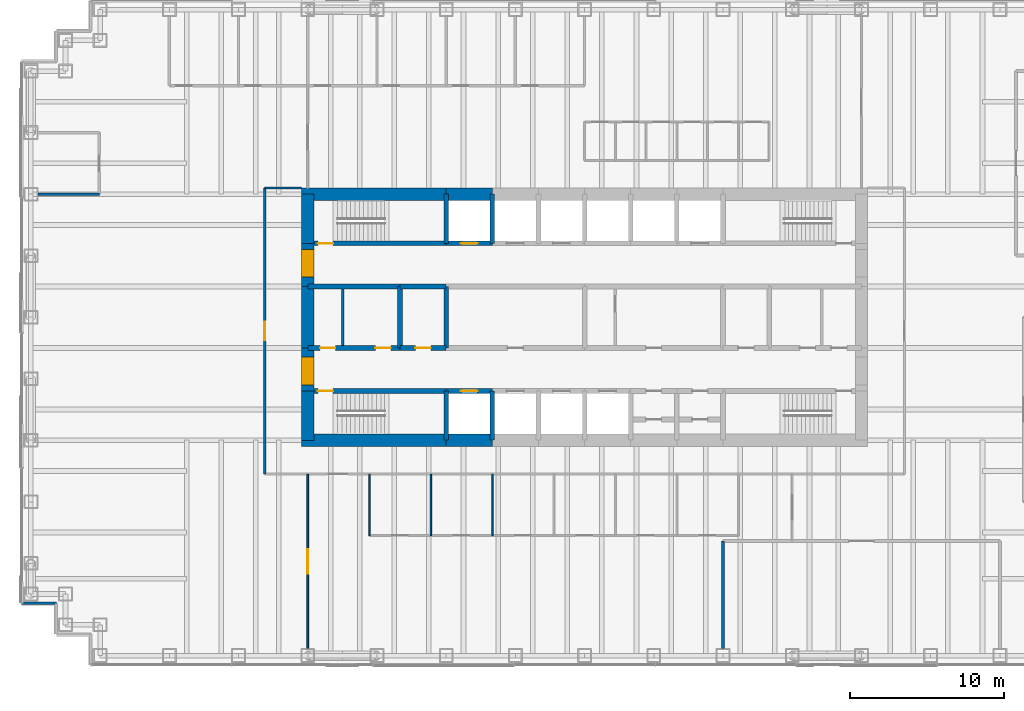
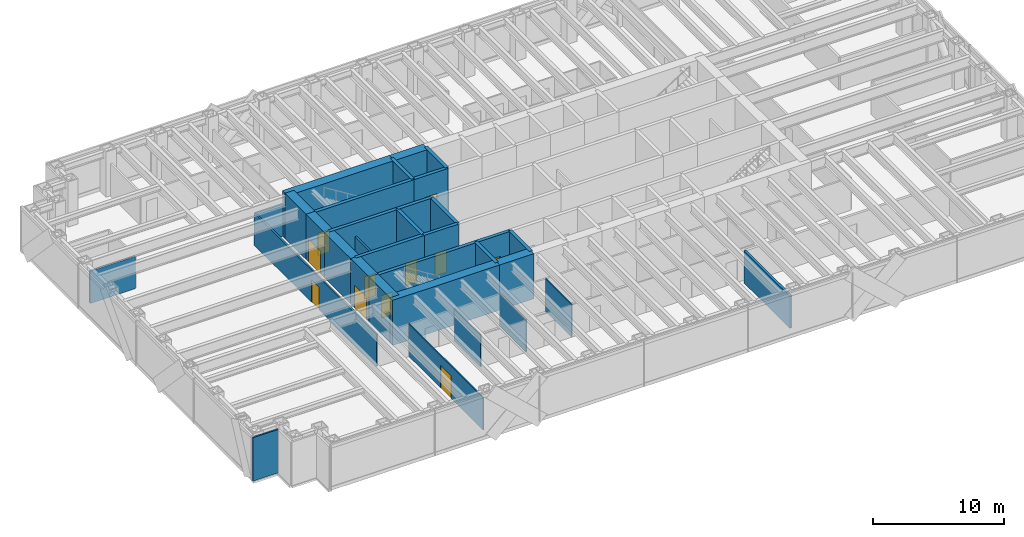
# One storey, part 10 of 15: 33 walls, 11 doors, 11 openings.
"""IFC4 building model written with IfcOpenShell, lengths in metres."""

from ifc_helpers import new_model, si_unit, direction, frame, frame_2d, origin, place, context, subcontext, project, spatial, rectangle, extrude, material, layer, layer_set, type_object, element, fill, save


model = new_model("IFC4")

# Units and contexts
model_context = context("Model", 3, precision=1e-05, world=origin(), true_north=direction((0.0, 1.0)))
body_context = subcontext(model_context, "Body", "Model", "MODEL_VIEW")
ifc_project = project(units=[si_unit("LENGTHUNIT", "METRE"), si_unit("AREAUNIT", "SQUARE_METRE"), si_unit("VOLUMEUNIT", "CUBIC_METRE"), si_unit("PLANEANGLEUNIT", "RADIAN"), si_unit("MASSUNIT", "GRAM", prefix="KILO")], contexts=[model_context])

# Site, building, storey
site_placement = place(None, origin())
site = spatial("IfcSite", under=ifc_project, at=site_placement, CompositionType="ELEMENT")
building_placement = place(site_placement, origin())
building = spatial("IfcBuilding", under=site, at=building_placement, Name="Rheinbord Bourse Tower", CompositionType="ELEMENT")
storey_placement = place(building_placement, frame((0.0, 0.0, 257.199951171875)))
storey = spatial("IfcBuildingStorey", under=building, at=storey_placement, Name="L58", CompositionType="ELEMENT", Elevation=257.199951171875)

# Wall
ifc_material_1 = material(Name="Acoustic gypsum board partition", Category="gypsum board")
ifc_layer_1 = layer(ifc_material_1, 0.199951171875)
ifc_layer_set_1 = layer_set([ifc_layer_1], Name="ACOUSTIC PARTITION 200")
wall_type_1 = type_object("IfcWallType", Name="ACOUSTIC PARTITION 200", PredefinedType="PARTITIONING", material=ifc_layer_set_1)
wall_1_placement = place(storey_placement, frame((45.0, 2.449951171875, 0.0), z_axis=(0.0, 0.0, 1.0), x_axis=(0.0, 1.0, 0.0)))
element("IfcWall", 1, at=wall_1_placement, inside=storey, type_object=wall_type_1, Name="Partition L58-37", PredefinedType="PARTITIONING", context=body_context, shape_type="SweptSolid", body=[
    extrude(rectangle(XDim=7.0, YDim=0.199951171875, at=frame_2d((3.5, 0.0))), origin(), (0.0, 0.0, 1.0), 3.0),
])

# Wall, opening, door
ifc_material_2 = material(Name="Concrete C50/60", Category="concrete")
ifc_layer_2 = layer(ifc_material_2, 0.300048828125)
ifc_layer_set_2 = layer_set([ifc_layer_2], Name="CORE INNER WALL 300")
wall_type_2 = type_object("IfcWallType", Name="CORE INNER WALL 300", PredefinedType="SOLIDWALL", material=ifc_layer_set_2)
wall_2_placement = place(storey_placement, frame((18.0, 19.199951171875, 0.0), z_axis=(0.0, 0.0, 1.0), x_axis=(1.0, 0.0, 0.0)))
wall_2 = element("IfcWall", 2, at=wall_2_placement, inside=storey, type_object=wall_type_2, Name="Core wall A1 L58", PredefinedType="SOLIDWALL", context=body_context, shape_type="SweptSolid", body=[
    extrude(rectangle(XDim=9.0, YDim=0.300048828125, at=frame_2d((4.5, 0.0))), origin(), (0.0, 0.0, 1.0), 4.199951171875),
])
opening_1_placement = place(wall_2_placement, frame((0.64990234375, 0.0, 0.0)))
opening_1 = element("IfcOpeningElement", 3, at=opening_1_placement, cuts=wall_2, Name="Opening 5810", PredefinedType="OPENING", context=body_context, shape_type="SweptSolid", body=[
    extrude(rectangle(XDim=1.0, YDim=2.10009765625, at=frame_2d((0.5, 1.050048828125))), frame((0.0, 0.159912109375, 0.0), z_axis=(0.0, -1.0, 0.0), x_axis=(1.0, 0.0, 0.0)), (0.0, 0.0, 1.0), 0.320068359375),
])
ifc_material_3 = material(Name="Steel door", Category="steel")
door_type_1 = type_object("IfcDoorType", Name="DOOR 1000 EI30", OperationType="SINGLE_SWING_LEFT", PredefinedType="DOOR", material=ifc_material_3)
door_1_placement = place(opening_1_placement, origin())
door_1 = element("IfcDoor", 4, at=door_1_placement, inside=storey, type_object=door_type_1, Name="Stair door ST1 L58", OperationType="SINGLE_SWING_LEFT", OverallHeight=2.10009765625, OverallWidth=1.0, PredefinedType="DOOR", context=body_context, shape_type="SweptSolid", body=[
    extrude(rectangle(XDim=1.0, YDim=2.10009765625, at=frame_2d((0.5, 1.050048828125))), frame((0.0, 0.02490234375, 0.0), z_axis=(0.0, -1.0, 0.0), x_axis=(1.0, 0.0, 0.0)), (0.0, 0.0, 1.0), 0.050048828125),
])
fill(opening_1, door_1)

wall_3_placement = place(storey_placement, frame((27.0, 19.199951171875, 0.0), z_axis=(0.0, 0.0, 1.0), x_axis=(1.0, 0.0, 0.0)))
wall_3 = element("IfcWall", 5, at=wall_3_placement, inside=storey, type_object=wall_type_2, Name="Core wall A2 L58", PredefinedType="SOLIDWALL", context=body_context, shape_type="SweptSolid", body=[
    extrude(rectangle(XDim=3.0, YDim=0.300048828125, at=frame_2d((1.5, 0.0))), origin(), (0.0, 0.0, 1.0), 4.199951171875),
])
opening_2_placement = place(wall_3_placement, frame((0.949951171875, 0.0, 0.0)))
opening_2 = element("IfcOpeningElement", 6, at=opening_2_placement, cuts=wall_3, Name="Opening FL1", PredefinedType="OPENING", context=body_context, shape_type="SweptSolid", body=[
    extrude(rectangle(XDim=1.10009765625, YDim=2.199951171875, at=frame_2d((0.550048828125, 1.10009765625))), frame((0.0, 0.159912109375, 0.0), z_axis=(0.0, -1.0, 0.0), x_axis=(1.0, 0.0, 0.0)), (0.0, 0.0, 1.0), 0.320068359375),
])
ifc_material_4 = material(Name="Steel landing door", Category="steel")
door_type_2 = type_object("IfcDoorType", Name="LIFT LANDING DOOR 1100", OperationType="DOUBLE_DOOR_SLIDING", PredefinedType="USERDEFINED", material=ifc_material_4)
door_2_placement = place(opening_2_placement, origin())
door_2 = element("IfcDoor", 7, at=door_2_placement, inside=storey, type_object=door_type_2, Name="Lift landing door FL1 L58", ObjectType="LIFT LANDING DOOR", OperationType="DOUBLE_DOOR_SLIDING", OverallHeight=2.199951171875, OverallWidth=1.10009765625, PredefinedType="USERDEFINED", context=body_context, shape_type="SweptSolid", body=[
    extrude(rectangle(XDim=1.10009765625, YDim=2.199951171875, at=frame_2d((0.550048828125, 1.10009765625))), frame((0.0, 0.02490234375, 0.0), z_axis=(0.0, -1.0, 0.0), x_axis=(1.0, 0.0, 0.0)), (0.0, 0.0, 1.0), 0.050048828125),
])
fill(opening_2, door_2)

wall_4_placement = place(storey_placement, frame((18.0, 28.800048828125, 0.0), z_axis=(0.0, 0.0, 1.0), x_axis=(1.0, 0.0, 0.0)))
wall_4 = element("IfcWall", 8, at=wall_4_placement, inside=storey, type_object=wall_type_2, Name="Core wall B1 L58", PredefinedType="SOLIDWALL", context=body_context, shape_type="SweptSolid", body=[
    extrude(rectangle(XDim=9.0, YDim=0.300048828125, at=frame_2d((4.5, 0.0))), origin(), (0.0, 0.0, 1.0), 4.199951171875),
])
opening_3_placement = place(wall_4_placement, frame((0.64990234375, 0.0, 0.0)))
opening_3 = element("IfcOpeningElement", 9, at=opening_3_placement, cuts=wall_4, Name="Opening 5820", PredefinedType="OPENING", context=body_context, shape_type="SweptSolid", body=[
    extrude(rectangle(XDim=1.0, YDim=2.10009765625, at=frame_2d((0.5, 1.050048828125))), frame((0.0, 0.159912109375, 0.0), z_axis=(0.0, -1.0, 0.0), x_axis=(1.0, 0.0, 0.0)), (0.0, 0.0, 1.0), 0.320068359375),
])
door_3_placement = place(opening_3_placement, origin())
door_3 = element("IfcDoor", 10, at=door_3_placement, inside=storey, type_object=door_type_1, Name="Stair door ST2 L58", OperationType="SINGLE_SWING_LEFT", OverallHeight=2.10009765625, OverallWidth=1.0, PredefinedType="DOOR", context=body_context, shape_type="SweptSolid", body=[
    extrude(rectangle(XDim=1.0, YDim=2.10009765625, at=frame_2d((0.5, 1.050048828125))), frame((0.0, 0.02490234375, 0.0), z_axis=(0.0, -1.0, 0.0), x_axis=(1.0, 0.0, 0.0)), (0.0, 0.0, 1.0), 0.050048828125),
])
fill(opening_3, door_3)

wall_5_placement = place(storey_placement, frame((27.0, 28.800048828125, 0.0), z_axis=(0.0, 0.0, 1.0), x_axis=(1.0, 0.0, 0.0)))
wall_5 = element("IfcWall", 11, at=wall_5_placement, inside=storey, type_object=wall_type_2, Name="Core wall B2 L58", PredefinedType="SOLIDWALL", context=body_context, shape_type="SweptSolid", body=[
    extrude(rectangle(XDim=3.0, YDim=0.300048828125, at=frame_2d((1.5, 0.0))), origin(), (0.0, 0.0, 1.0), 4.199951171875),
])
opening_4_placement = place(wall_5_placement, frame((0.949951171875, 0.0, 0.0)))
opening_4 = element("IfcOpeningElement", 12, at=opening_4_placement, cuts=wall_5, Name="Opening GL1", PredefinedType="OPENING", context=body_context, shape_type="SweptSolid", body=[
    extrude(rectangle(XDim=1.10009765625, YDim=2.199951171875, at=frame_2d((0.550048828125, 1.10009765625))), frame((0.0, 0.159912109375, 0.0), z_axis=(0.0, -1.0, 0.0), x_axis=(1.0, 0.0, 0.0)), (0.0, 0.0, 1.0), 0.320068359375),
])
door_4_placement = place(opening_4_placement, origin())
door_4 = element("IfcDoor", 13, at=door_4_placement, inside=storey, type_object=door_type_2, Name="Lift landing door GL1 L58", ObjectType="LIFT LANDING DOOR", OperationType="DOUBLE_DOOR_SLIDING", OverallHeight=2.199951171875, OverallWidth=1.10009765625, PredefinedType="USERDEFINED", context=body_context, shape_type="SweptSolid", body=[
    extrude(rectangle(XDim=1.10009765625, YDim=2.199951171875, at=frame_2d((0.550048828125, 1.10009765625))), frame((0.0, 0.02490234375, 0.0), z_axis=(0.0, -1.0, 0.0), x_axis=(1.0, 0.0, 0.0)), (0.0, 0.0, 1.0), 0.050048828125),
])
fill(opening_4, door_4)

# Wall, openings, doors
wall_6_placement = place(storey_placement, frame((18.0, 22.0, 0.0), z_axis=(0.0, 0.0, 1.0), x_axis=(1.0, 0.0, 0.0)))
wall_6 = element("IfcWall", 14, at=wall_6_placement, inside=storey, type_object=wall_type_2, Name="Core wall C1 L58", PredefinedType="SOLIDWALL", context=body_context, shape_type="SweptSolid", body=[
    extrude(rectangle(XDim=6.0, YDim=0.300048828125, at=frame_2d((3.0, 0.0))), origin(), (0.0, 0.0, 1.0), 4.199951171875),
])
opening_5_placement = place(wall_6_placement, frame((4.39990234375, 0.0, 0.0)))
opening_5 = element("IfcOpeningElement", 15, at=opening_5_placement, cuts=wall_6, Name="Opening 58R1", PredefinedType="OPENING", context=body_context, shape_type="SweptSolid", body=[
    extrude(rectangle(XDim=1.0, YDim=2.10009765625, at=frame_2d((0.5, 1.050048828125))), frame((0.0, 0.159912109375, 0.0), z_axis=(0.0, -1.0, 0.0), x_axis=(1.0, 0.0, 0.0)), (0.0, 0.0, 1.0), 0.320068359375),
])
opening_6_placement = place(wall_6_placement, frame((0.800048828125, 0.0, 0.0)))
opening_6 = element("IfcOpeningElement", 16, at=opening_6_placement, cuts=wall_6, Name="Opening 58R9", PredefinedType="OPENING", context=body_context, shape_type="SweptSolid", body=[
    extrude(rectangle(XDim=1.0, YDim=2.10009765625, at=frame_2d((0.5, 1.050048828125))), frame((0.0, 0.159912109375, 0.0), z_axis=(0.0, -1.0, 0.0), x_axis=(1.0, 0.0, 0.0)), (0.0, 0.0, 1.0), 0.320068359375),
])
door_5_placement = place(opening_6_placement, origin())
door_5 = element("IfcDoor", 17, at=door_5_placement, inside=storey, type_object=door_type_1, Name="Baby change door L58", OperationType="SINGLE_SWING_LEFT", OverallHeight=2.10009765625, OverallWidth=1.0, PredefinedType="DOOR", context=body_context, shape_type="SweptSolid", body=[
    extrude(rectangle(XDim=1.0, YDim=2.10009765625, at=frame_2d((0.5, 1.050048828125))), frame((0.0, 0.02490234375, 0.0), z_axis=(0.0, -1.0, 0.0), x_axis=(1.0, 0.0, 0.0)), (0.0, 0.0, 1.0), 0.050048828125),
])
fill(opening_6, door_5)
ifc_material_5 = material(Name="Timber door", Category="wood")
door_type_3 = type_object("IfcDoorType", Name="DOOR 1000 WC", OperationType="SINGLE_SWING_LEFT", PredefinedType="DOOR", material=ifc_material_5)
door_6_placement = place(opening_5_placement, origin())
door_6 = element("IfcDoor", 18, at=door_6_placement, inside=storey, type_object=door_type_3, Name="WC men door L58", OperationType="SINGLE_SWING_RIGHT", OverallHeight=2.10009765625, OverallWidth=1.0, PredefinedType="DOOR", context=body_context, shape_type="SweptSolid", body=[
    extrude(rectangle(XDim=1.0, YDim=2.10009765625, at=frame_2d((0.5, 1.050048828125))), frame((0.0, 0.02490234375, 0.0), z_axis=(0.0, -1.0, 0.0), x_axis=(1.0, 0.0, 0.0)), (0.0, 0.0, 1.0), 0.050048828125),
])
fill(opening_5, door_6)

# Wall, opening, door
wall_7_placement = place(storey_placement, frame((24.0, 22.0, 0.0), z_axis=(0.0, 0.0, 1.0), x_axis=(1.0, 0.0, 0.0)))
wall_7 = element("IfcWall", 19, at=wall_7_placement, inside=storey, type_object=wall_type_2, Name="Core wall C2 L58", PredefinedType="SOLIDWALL", context=body_context, shape_type="SweptSolid", body=[
    extrude(rectangle(XDim=3.0, YDim=0.300048828125, at=frame_2d((1.5, 0.0))), origin(), (0.0, 0.0, 1.0), 4.199951171875),
])
opening_7_placement = place(wall_7_placement, frame((1.0, 0.0, 0.0)))
opening_7 = element("IfcOpeningElement", 20, at=opening_7_placement, cuts=wall_7, Name="Opening 58R2", PredefinedType="OPENING", context=body_context, shape_type="SweptSolid", body=[
    extrude(rectangle(XDim=1.0, YDim=2.10009765625, at=frame_2d((0.5, 1.050048828125))), frame((0.0, 0.159912109375, 0.0), z_axis=(0.0, -1.0, 0.0), x_axis=(1.0, 0.0, 0.0)), (0.0, 0.0, 1.0), 0.320068359375),
])
door_7_placement = place(opening_7_placement, origin())
door_7 = element("IfcDoor", 21, at=door_7_placement, inside=storey, type_object=door_type_1, Name="First aid room door L58", OperationType="SINGLE_SWING_LEFT", OverallHeight=2.10009765625, OverallWidth=1.0, PredefinedType="DOOR", context=body_context, shape_type="SweptSolid", body=[
    extrude(rectangle(XDim=1.0, YDim=2.10009765625, at=frame_2d((0.5, 1.050048828125))), frame((0.0, 0.02490234375, 0.0), z_axis=(0.0, -1.0, 0.0), x_axis=(1.0, 0.0, 0.0)), (0.0, 0.0, 1.0), 0.050048828125),
])
fill(opening_7, door_7)

# Walls
wall_8_placement = place(storey_placement, frame((18.0, 26.0, 0.0), z_axis=(0.0, 0.0, 1.0), x_axis=(1.0, 0.0, 0.0)))
element("IfcWall", 22, at=wall_8_placement, inside=storey, type_object=wall_type_2, Name="Core wall D1 L58", PredefinedType="SOLIDWALL", context=body_context, shape_type="SweptSolid", body=[
    extrude(rectangle(XDim=6.0, YDim=0.300048828125, at=frame_2d((3.0, 0.0))), origin(), (0.0, 0.0, 1.0), 4.199951171875),
])
wall_9_placement = place(storey_placement, frame((24.0, 26.0, 0.0), z_axis=(0.0, 0.0, 1.0), x_axis=(1.0, 0.0, 0.0)))
element("IfcWall", 23, at=wall_9_placement, inside=storey, type_object=wall_type_2, Name="Core wall D2 L58", PredefinedType="SOLIDWALL", context=body_context, shape_type="SweptSolid", body=[
    extrude(rectangle(XDim=3.0, YDim=0.300048828125, at=frame_2d((1.5, 0.0))), origin(), (0.0, 0.0, 1.0), 4.199951171875),
])
for number, where, z_axis, x_axis, name in (
    (24, (27.0, 16.0, 0.0), (0.0, 0.0, 1.0), (0.0, 1.0, 0.0), "Core wall SX27 L58"),
    (25, (27.0, 28.800048828125, 0.0), (0.0, 0.0, 1.0), (0.0, 1.0, 0.0), "Core wall NX27 L58"),
    (26, (30.0, 16.0, 0.0), (0.0, 0.0, 1.0), (0.0, 1.0, 0.0), "Core wall SX30 L58"),
    (27, (30.0, 28.800048828125, 0.0), (0.0, 0.0, 1.0), (0.0, 1.0, 0.0), "Core wall NX30 L58"),
):
    element("IfcWall", number, at=place(storey_placement, frame(where, z_axis=z_axis, x_axis=x_axis)), inside=storey, type_object=wall_type_2, Name=name, PredefinedType="SOLIDWALL", context=body_context, shape_type="SweptSolid", body=[
        extrude(rectangle(XDim=3.199951171875, YDim=0.300048828125, at=frame_2d((1.60009765625, 0.0))), origin(), (0.0, 0.0, 1.0), 4.199951171875),
    ])
for number, where, z_axis, x_axis, name in (
    (28, (24.0, 22.0, 0.0), (0.0, 0.0, 1.0), (0.0, 1.0, 0.0), "Core wall MX24 L58"),
    (29, (27.0, 22.0, 0.0), (0.0, 0.0, 1.0), (0.0, 1.0, 0.0), "Core wall MX27 L58"),
):
    element("IfcWall", number, at=place(storey_placement, frame(where, z_axis=z_axis, x_axis=x_axis)), inside=storey, type_object=wall_type_2, Name=name, PredefinedType="SOLIDWALL", context=body_context, shape_type="SweptSolid", body=[
        extrude(rectangle(XDim=4.0, YDim=0.300048828125, at=frame_2d((2.0, 0.0))), origin(), (0.0, 0.0, 1.0), 4.199951171875),
    ])
ifc_material_6 = material(Name="Gypsum board fire partition", Category="gypsum board")
ifc_layer_3 = layer(ifc_material_6, 0.14990234375)
ifc_layer_set_3 = layer_set([ifc_layer_3], Name="CORE PARTITION 150 EI30")
wall_type_3 = type_object("IfcWallType", Name="CORE PARTITION 150 EI30", PredefinedType="PARTITIONING", material=ifc_layer_set_3)
wall_10_placement = place(storey_placement, frame((20.27490234375, 22.14990234375, 0.0), z_axis=(0.0, 0.0, 1.0), x_axis=(0.0, 1.0, 0.0)))
element("IfcWall", 30, at=wall_10_placement, inside=storey, type_object=wall_type_3, Name="Core partition L58-2", PredefinedType="PARTITIONING", context=body_context, shape_type="SweptSolid", body=[
    extrude(rectangle(XDim=3.7001953125, YDim=0.14990234375, at=frame_2d((1.85009765625, 0.0))), origin(), (0.0, 0.0, 1.0), 3.0),
])
ifc_material_7 = material(Name="Concrete C50/60", Category="concrete")
ifc_layer_4 = layer(ifc_material_7, 0.800048828125)
ifc_layer_set_4 = layer_set([ifc_layer_4], Name="CORE WALL 800")
wall_type_4 = type_object("IfcWallType", Name="CORE WALL 800", PredefinedType="SHEAR", material=ifc_layer_set_4)
wall_11_placement = place(storey_placement, frame((17.60009765625, 16.0, 0.0), z_axis=(0.0, 0.0, 1.0), x_axis=(1.0, 0.0, 0.0)))
element("IfcWall", 31, at=wall_11_placement, inside=storey, type_object=wall_type_4, Name="Core wall S1 L58", PredefinedType="SHEAR", context=body_context, shape_type="SweptSolid", body=[
    extrude(rectangle(XDim=9.39990234375, YDim=0.800048828125, at=frame_2d((4.699951171875, 0.0))), origin(), (0.0, 0.0, 1.0), 4.199951171875),
])
for number, where, z_axis, x_axis, name in (
    (32, (27.0, 16.0, 0.0), (0.0, 0.0, 1.0), (1.0, 0.0, 0.0), "Core wall S2 L58"),
    (33, (30.0, 32.0, 0.0), (0.0, 0.0, 1.0), (-1.0, 0.0, 0.0), "Core wall N7 L58"),
):
    element("IfcWall", number, at=place(storey_placement, frame(where, z_axis=z_axis, x_axis=x_axis)), inside=storey, type_object=wall_type_4, Name=name, PredefinedType="SHEAR", context=body_context, shape_type="SweptSolid", body=[
        extrude(rectangle(XDim=3.0, YDim=0.800048828125, at=frame_2d((1.5, 0.0))), origin(), (0.0, 0.0, 1.0), 4.199951171875),
    ])
wall_12_placement = place(storey_placement, frame((27.0, 32.0, 0.0), z_axis=(0.0, 0.0, 1.0), x_axis=(-1.0, 0.0, 0.0)))
element("IfcWall", 34, at=wall_12_placement, inside=storey, type_object=wall_type_4, Name="Core wall N8 L58", PredefinedType="SHEAR", context=body_context, shape_type="SweptSolid", body=[
    extrude(rectangle(XDim=9.39990234375, YDim=0.800048828125, at=frame_2d((4.699951171875, 0.0))), origin(), (0.0, 0.0, 1.0), 4.199951171875),
])
wall_13_placement = place(storey_placement, frame((18.0, 32.0, 0.0), z_axis=(0.0, 0.0, 1.0), x_axis=(0.0, -1.0, 0.0)))
element("IfcWall", 35, at=wall_13_placement, inside=storey, type_object=wall_type_4, Name="Core wall W1 L58", PredefinedType="SHEAR", context=body_context, shape_type="SweptSolid", body=[
    extrude(rectangle(XDim=3.199951171875, YDim=0.800048828125, at=frame_2d((1.60009765625, 0.0))), origin(), (0.0, 0.0, 1.0), 4.199951171875),
])

# Wall, opening, door
wall_14_placement = place(storey_placement, frame((18.0, 28.800048828125, 0.0), z_axis=(0.0, 0.0, 1.0), x_axis=(0.0, -1.0, 0.0)))
wall_14 = element("IfcWall", 36, at=wall_14_placement, inside=storey, type_object=wall_type_4, Name="Core wall W2 L58", PredefinedType="SHEAR", context=body_context, shape_type="SweptSolid", body=[
    extrude(rectangle(XDim=2.800048828125, YDim=0.800048828125, at=frame_2d((1.39990234375, 0.0))), origin(), (0.0, 0.0, 1.0), 4.199951171875),
])
opening_8_placement = place(wall_14_placement, frame((0.39990234375, 0.0, 0.0)))
opening_8 = element("IfcOpeningElement", 37, at=opening_8_placement, cuts=wall_14, Name="Opening 58L2", PredefinedType="OPENING", context=body_context, shape_type="SweptSolid", body=[
    extrude(rectangle(XDim=1.800048828125, YDim=2.10009765625, at=frame_2d((0.89990234375, 1.050048828125))), frame((0.0, 0.409912109375, 0.0), z_axis=(0.0, -1.0, 0.0), x_axis=(1.0, 0.0, 0.0)), (0.0, 0.0, 1.0), 0.820068359375),
])
ifc_material_8 = material(Name="Steel door", Category="steel")
door_type_4 = type_object("IfcDoorType", Name="DOOR 1800 EI30 DOUBLE", OperationType="DOUBLE_DOOR_DOUBLE_SWING", PredefinedType="DOOR", material=ifc_material_8)
door_8_placement = place(opening_8_placement, origin())
door_8 = element("IfcDoor", 38, at=door_8_placement, inside=storey, type_object=door_type_4, Name="Lobby door 2 L58", OperationType="SINGLE_SWING_LEFT", OverallHeight=2.10009765625, OverallWidth=1.800048828125, PredefinedType="DOOR", context=body_context, shape_type="SweptSolid", body=[
    extrude(rectangle(XDim=1.800048828125, YDim=2.10009765625, at=frame_2d((0.89990234375, 1.050048828125))), frame((0.0, 0.39990234375, 0.0), z_axis=(0.0, -1.0, 0.0), x_axis=(1.0, 0.0, 0.0)), (0.0, 0.0, 1.0), 0.799560546875),
])
fill(opening_8, door_8)

# Wall
wall_15_placement = place(storey_placement, frame((18.0, 26.0, 0.0), z_axis=(0.0, 0.0, 1.0), x_axis=(0.0, -1.0, 0.0)))
element("IfcWall", 39, at=wall_15_placement, inside=storey, type_object=wall_type_4, Name="Core wall W3 L58", PredefinedType="SHEAR", context=body_context, shape_type="SweptSolid", body=[
    extrude(rectangle(XDim=4.0, YDim=0.800048828125, at=frame_2d((2.0, 0.0))), origin(), (0.0, 0.0, 1.0), 4.199951171875),
])

# Wall, opening, door
wall_16_placement = place(storey_placement, frame((18.0, 22.0, 0.0), z_axis=(0.0, 0.0, 1.0), x_axis=(0.0, -1.0, 0.0)))
wall_16 = element("IfcWall", 40, at=wall_16_placement, inside=storey, type_object=wall_type_4, Name="Core wall W4 L58", PredefinedType="SHEAR", context=body_context, shape_type="SweptSolid", body=[
    extrude(rectangle(XDim=2.800048828125, YDim=0.800048828125, at=frame_2d((1.39990234375, 0.0))), origin(), (0.0, 0.0, 1.0), 4.199951171875),
])
opening_9_placement = place(wall_16_placement, frame((0.60009765625, 0.0, 0.0)))
opening_9 = element("IfcOpeningElement", 41, at=opening_9_placement, cuts=wall_16, Name="Opening 58L1", PredefinedType="OPENING", context=body_context, shape_type="SweptSolid", body=[
    extrude(rectangle(XDim=1.800048828125, YDim=2.10009765625, at=frame_2d((0.89990234375, 1.050048828125))), frame((0.0, 0.409912109375, 0.0), z_axis=(0.0, -1.0, 0.0), x_axis=(1.0, 0.0, 0.0)), (0.0, 0.0, 1.0), 0.820068359375),
])
door_9_placement = place(opening_9_placement, origin())
door_9 = element("IfcDoor", 42, at=door_9_placement, inside=storey, type_object=door_type_4, Name="Lobby door 1 L58", OperationType="SINGLE_SWING_LEFT", OverallHeight=2.10009765625, OverallWidth=1.800048828125, PredefinedType="DOOR", context=body_context, shape_type="SweptSolid", body=[
    extrude(rectangle(XDim=1.800048828125, YDim=2.10009765625, at=frame_2d((0.89990234375, 1.050048828125))), frame((0.0, 0.39990234375, 0.0), z_axis=(0.0, -1.0, 0.0), x_axis=(1.0, 0.0, 0.0)), (0.0, 0.0, 1.0), 0.799560546875),
])
fill(opening_9, door_9)

# Walls
wall_17_placement = place(storey_placement, frame((18.0, 19.199951171875, 0.0), z_axis=(0.0, 0.0, 1.0), x_axis=(0.0, -1.0, 0.0)))
element("IfcWall", 43, at=wall_17_placement, inside=storey, type_object=wall_type_4, Name="Core wall W5 L58", PredefinedType="SHEAR", context=body_context, shape_type="SweptSolid", body=[
    extrude(rectangle(XDim=3.199951171875, YDim=0.800048828125, at=frame_2d((1.60009765625, 0.0))), origin(), (0.0, 0.0, 1.0), 4.199951171875),
])
ifc_material_9 = material(Name="Black metal rainscreen panel", Category="aluminium")
ifc_layer_5 = layer(ifc_material_9, 0.14990234375)
ifc_layer_set_5 = layer_set([ifc_layer_5], Name="CORNER PIER CLADDING 150")
wall_type_5 = type_object("IfcWallType", Name="CORNER PIER CLADDING 150", PredefinedType="ELEMENTEDWALL", material=ifc_layer_set_5)
wall_18_placement = place(storey_placement, frame((-0.60009765625, 5.39990234375, 0.0), z_axis=(0.0, 0.0, 1.0), x_axis=(1.0, 0.0, 0.0)))
element("IfcWall", 44, at=wall_18_placement, inside=storey, type_object=wall_type_5, Name="Corner pier cladding L58 17", PredefinedType="ELEMENTEDWALL", context=body_context, shape_type="SweptSolid", body=[
    extrude(rectangle(XDim=2.25, YDim=0.14990234375, at=frame_2d((1.125, 0.0))), origin(), (0.0, 0.0, 1.0), 4.0400390625),
])
ifc_material_10 = material(Name="Gypsum board corridor partition", Category="gypsum board")
ifc_layer_6 = layer(ifc_material_10, 0.14990234375)
ifc_layer_set_6 = layer_set([ifc_layer_6], Name="CORRIDOR PARTITION 150 EI30")
wall_type_6 = type_object("IfcWallType", Name="CORRIDOR PARTITION 150 EI30", PredefinedType="PARTITIONING", material=ifc_layer_set_6)
wall_19_placement = place(storey_placement, frame((15.199951171875, 32.39990234375, 0.0), z_axis=(0.0, 0.0, 1.0), x_axis=(1.0, 0.0, 0.0)))
element("IfcWall", 45, at=wall_19_placement, inside=storey, type_object=wall_type_6, Name="Partition L58-08", PredefinedType="PARTITIONING", context=body_context, shape_type="SweptSolid", body=[
    extrude(rectangle(XDim=2.400146484375, YDim=0.14990234375, at=frame_2d((1.2001953125, 0.0))), origin(), (0.0, 0.0, 1.0), 3.0),
])

# Wall, opening, door
wall_20_placement = place(storey_placement, frame((15.199951171875, 13.800048828125, 0.0), z_axis=(0.0, 0.0, 1.0), x_axis=(0.0, 1.0, 0.0)))
wall_20 = element("IfcWall", 46, at=wall_20_placement, inside=storey, type_object=wall_type_6, Name="Partition L58-18", PredefinedType="PARTITIONING", context=body_context, shape_type="SweptSolid", body=[
    extrude(rectangle(XDim=18.599853515625, YDim=0.14990234375, at=frame_2d((9.2998046875, 0.0))), origin(), (0.0, 0.0, 1.0), 3.0),
])
opening_10_placement = place(wall_20_placement, frame((8.699951171875, 0.0, 0.0)))
opening_10 = element("IfcOpeningElement", 47, at=opening_10_placement, cuts=wall_20, Name="Opening 58D27", PredefinedType="OPENING", context=body_context, shape_type="SweptSolid", body=[
    extrude(rectangle(XDim=1.199951171875, YDim=2.10009765625, at=frame_2d((0.60009765625, 1.050048828125))), frame((0.0, 0.0849609375, 0.0), z_axis=(0.0, -1.0, 0.0), x_axis=(1.0, 0.0, 0.0)), (0.0, 0.0, 1.0), 0.169921875),
])
ifc_material_11 = material(Name="Timber fire door", Category="wood")
door_type_5 = type_object("IfcDoorType", Name="SUITE ENTRANCE DOOR 1200 EI30", OperationType="SINGLE_SWING_LEFT", PredefinedType="DOOR", material=ifc_material_11)
door_10_placement = place(opening_10_placement, origin())
door_10 = element("IfcDoor", 48, at=door_10_placement, inside=storey, type_object=door_type_5, Name="Suite entrance 1 door L58", OperationType="SINGLE_SWING_LEFT", OverallHeight=2.10009765625, OverallWidth=1.199951171875, PredefinedType="DOOR", context=body_context, shape_type="SweptSolid", body=[
    extrude(rectangle(XDim=1.199951171875, YDim=2.10009765625, at=frame_2d((0.60009765625, 1.050048828125))), frame((0.0, 0.02490234375, 0.0), z_axis=(0.0, -1.0, 0.0), x_axis=(1.0, 0.0, 0.0)), (0.0, 0.0, 1.0), 0.050048828125),
])
fill(opening_10, door_10)

ifc_material_12 = material(Name="Toughened laminated glass partition", Category="glass")
ifc_layer_7 = layer(ifc_material_12, 0.10009765625)
ifc_layer_set_7 = layer_set([ifc_layer_7], Name="GLAZED PARTITION 100")
wall_type_7 = type_object("IfcWallType", Name="GLAZED PARTITION 100", PredefinedType="PARTITIONING", material=ifc_layer_set_7)
wall_21_placement = place(storey_placement, frame((18.0, 2.449951171875, 0.0), z_axis=(0.0, 0.0, 1.0), x_axis=(0.0, 1.0, 0.0)))
wall_21 = element("IfcWall", 49, at=wall_21_placement, inside=storey, type_object=wall_type_7, Name="Partition L58-19", PredefinedType="PARTITIONING", context=body_context, shape_type="SweptSolid", body=[
    extrude(rectangle(XDim=11.35009765625, YDim=0.10009765625, at=frame_2d((5.675048828125, 0.0))), origin(), (0.0, 0.0, 1.0), 3.0),
])
opening_11_placement = place(wall_21_placement, frame((4.875, 0.0, 0.0)))
opening_11 = element("IfcOpeningElement", 50, at=opening_11_placement, cuts=wall_21, Name="Opening 58D23", PredefinedType="OPENING", context=body_context, shape_type="SweptSolid", body=[
    extrude(rectangle(XDim=1.60009765625, YDim=2.10009765625, at=frame_2d((0.800048828125, 1.050048828125))), frame((0.0, 0.06005859375, 0.0), z_axis=(0.0, -1.0, 0.0), x_axis=(1.0, 0.0, 0.0)), (0.0, 0.0, 1.0), 0.1201171875),
])
ifc_material_13 = material(Name="Timber door", Category="wood")
door_type_6 = type_object("IfcDoorType", Name="DOUBLE ROOM DOOR 1600", OperationType="DOUBLE_DOOR_DOUBLE_SWING", PredefinedType="DOOR", material=ifc_material_13)
door_11_placement = place(opening_11_placement, origin())
door_11 = element("IfcDoor", 51, at=door_11_placement, inside=storey, type_object=door_type_6, Name="Open area door L58", OperationType="SINGLE_SWING_LEFT", OverallHeight=2.10009765625, OverallWidth=1.60009765625, PredefinedType="DOOR", context=body_context, shape_type="SweptSolid", body=[
    extrude(rectangle(XDim=1.60009765625, YDim=2.10009765625, at=frame_2d((0.800048828125, 1.050048828125))), frame((0.0, 0.02490234375, 0.0), z_axis=(0.0, -1.0, 0.0), x_axis=(1.0, 0.0, 0.0)), (0.0, 0.0, 1.0), 0.050048828125),
])
fill(opening_11, door_11)

# Walls
for number, where, z_axis, x_axis, name in (
    (52, (22.0, 9.800048828125, 0.0), (0.0, 0.0, 1.0), (0.0, 1.0, 0.0), "Partition L58-22"),
    (53, (26.0, 9.800048828125, 0.0), (0.0, 0.0, 1.0), (0.0, 1.0, 0.0), "Partition L58-24"),
    (54, (30.0, 9.800048828125, 0.0), (0.0, 0.0, 1.0), (0.0, 1.0, 0.0), "Partition L58-26"),
):
    element("IfcWall", number, at=place(storey_placement, frame(where, z_axis=z_axis, x_axis=x_axis)), inside=storey, type_object=wall_type_7, Name=name, PredefinedType="PARTITIONING", context=body_context, shape_type="SweptSolid", body=[
        extrude(rectangle(XDim=4.0, YDim=0.10009765625, at=frame_2d((2.0, 0.0))), origin(), (0.0, 0.0, 1.0), 3.0),
    ])
ifc_material_14 = material(Name="Gypsum board partition", Category="gypsum board")
ifc_layer_8 = layer(ifc_material_14, 0.14990234375)
ifc_layer_set_8 = layer_set([ifc_layer_8], Name="PARTITION 150")
wall_type_8 = type_object("IfcWallType", Name="PARTITION 150", PredefinedType="PARTITIONING", material=ifc_layer_set_8)
wall_22_placement = place(storey_placement, frame((0.449951171875, 32.0, 0.0), z_axis=(0.0, 0.0, 1.0), x_axis=(1.0, 0.0, 0.0)))
element("IfcWall", 55, at=wall_22_placement, inside=storey, type_object=wall_type_8, Name="Partition L58-07", PredefinedType="PARTITIONING", context=body_context, shape_type="SweptSolid", body=[
    extrude(rectangle(XDim=4.0, YDim=0.14990234375, at=frame_2d((2.0, 0.0))), origin(), (0.0, 0.0, 1.0), 3.0),
])

save(model, "model.ifc")
